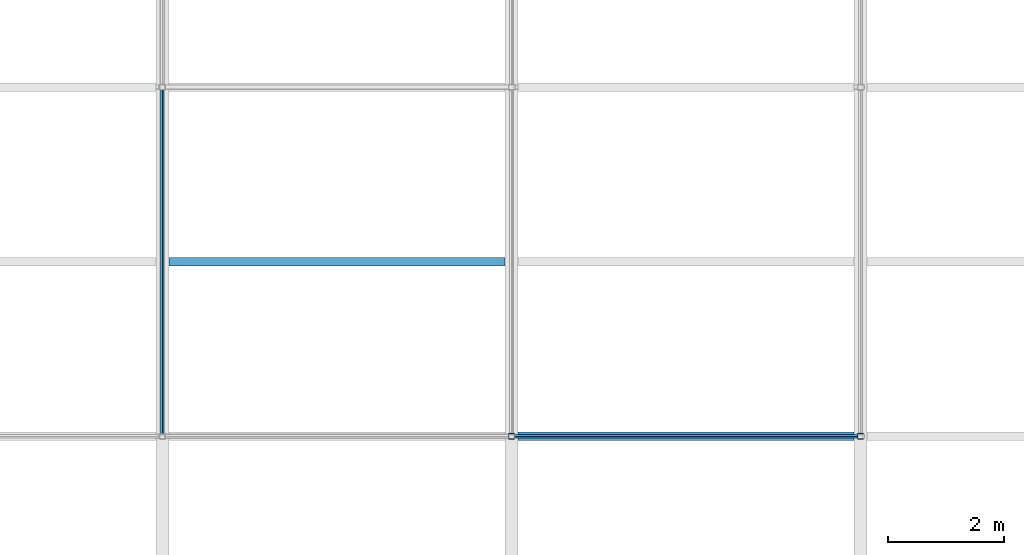
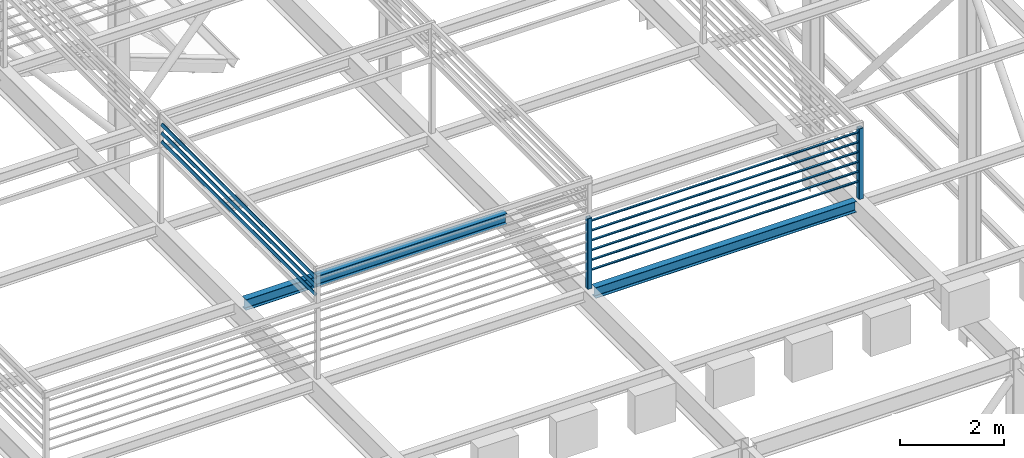
# One storey, part 8 of 57: 11 members, 2 beams.
"""IFC4 building model written with IfcOpenShell, lengths in metres."""

from ifc_helpers import new_model, si_unit, direction, frame, origin, origin_2d, place, context, subcontext, project, spatial, hollow_rectangle, i_section, extrude, material, material_profile, profile_set, type_object, element, save


model = new_model("IFC4")

# Units and contexts
model_context = context("Model", 3, precision=1e-05, world=origin(), true_north=direction((0.0, 1.0)))
body_context = subcontext(model_context, "Body", "Model", "MODEL_VIEW")
ifc_project = project(units=[si_unit("LENGTHUNIT", "METRE"), si_unit("AREAUNIT", "SQUARE_METRE"), si_unit("VOLUMEUNIT", "CUBIC_METRE"), si_unit("PLANEANGLEUNIT", "RADIAN"), si_unit("MASSUNIT", "GRAM", prefix="KILO")], contexts=[model_context])

# Site, building, storey
site_placement = place(None, origin())
site = spatial("IfcSite", under=ifc_project, at=site_placement, CompositionType="ELEMENT")
building_placement = place(site_placement, origin())
building = spatial("IfcBuilding", under=site, at=building_placement, Name="Saffron Lane Theatres", CompositionType="ELEMENT")
storey_placement = place(building_placement, frame((0.0, 0.0, 28.0)))
storey = spatial("IfcBuildingStorey", under=building, at=storey_placement, Name="Upper Roof", CompositionType="ELEMENT", Elevation=28.0)

# Members
ifc_material_1 = material(Name="Steel Grade 350", Category="steel")
ifc_material_profile_1 = material_profile(ifc_material_1, hollow_rectangle(XDim=0.10009765625, YDim=0.10009765625, WallThickness=0.006103515625, InnerFilletRadius=0.0029296875, OuterFilletRadius=0.009033203125, at=origin_2d()))
ifc_profile_set_1 = profile_set([ifc_material_profile_1], Name="Steel Grade 350")
member_type_1 = type_object("IfcMemberType", Name="ST-LANTERN POST 100x100x6 SHS", PredefinedType="POST", material=ifc_profile_set_1)
for number, where, z_axis, x_axis, name in (
    (1, (36.0, 36.25, 8.85009765625), (0.0, 0.0, 1.0), (1.0, 0.0, 0.0), "LP7"),
    (2, (42.0, 36.25, 8.85009765625), (0.0, 0.0, 1.0), (1.0, 0.0, 0.0), "LP10"),
):
    element("IfcMember", number, at=place(storey_placement, frame(where, z_axis=z_axis, x_axis=x_axis)), inside=storey, type_object=member_type_1, Name=name, PredefinedType="POST", context=body_context, shape_type="SweptSolid", body=[
        extrude(hollow_rectangle(XDim=0.10009765625, YDim=0.10009765625, WallThickness=0.006103515625, InnerFilletRadius=0.0029296875, OuterFilletRadius=0.009033203125, at=origin_2d()), origin(), (0.0, 0.0, 1.0), 1.64990234375),
    ])
ifc_material_2 = material(Name="Steel Grade 350", Category="steel")
ifc_material_profile_2 = material_profile(ifc_material_2, hollow_rectangle(XDim=0.034912109375, YDim=0.06494140625, WallThickness=0.0029296875, InnerFilletRadius=0.00146484375, OuterFilletRadius=0.00439453125, at=origin_2d()))
ifc_profile_set_2 = profile_set([ifc_material_profile_2], Name="Steel Grade 350")
member_type_2 = type_object("IfcMemberType", Name="ST-LOUVRE SLAT 65x35x3 RHS", PredefinedType="MEMBER", material=ifc_profile_set_2)
for number, where, z_axis, x_axis, name in (
    (3, (36.050048828125, 36.25, 9.25), (1.0, 0.0, 0.0), (0.0, 0.819152044289, 0.573576436351), "LV3"),
    (4, (36.050048828125, 36.25, 9.47998046875), (1.0, 0.0, 0.0), (0.0, 0.819152044289, 0.573576436351), "LV13"),
    (5, (36.050048828125, 36.25, 9.7099609375), (1.0, 0.0, 0.0), (0.0, 0.819152044289, 0.573576436351), "LV23"),
    (6, (36.050048828125, 36.25, 9.93994140625), (1.0, 0.0, 0.0), (0.0, 0.819152044289, 0.573576436351), "LV33"),
    (7, (36.050048828125, 36.25, 10.169921875), (1.0, 0.0, 0.0), (0.0, 0.819152044289, 0.573576436351), "LV43"),
    (8, (36.050048828125, 36.25, 10.39990234375), (1.0, 0.0, 0.0), (0.0, 0.819152044289, 0.573576436351), "LV53"),
    (9, (30.0, 36.300048828125, 10.7548828125), (0.0, 1.0, 0.0), (-0.819152044289, 0.0, 0.573576436351), "LV63"),
    (10, (30.0, 36.300048828125, 10.955078125), (0.0, 1.0, 0.0), (-0.819152044289, 0.0, 0.573576436351), "LV69"),
    (11, (30.0, 36.300048828125, 11.155029296875), (0.0, 1.0, 0.0), (-0.819152044289, 0.0, 0.573576436351), "LV75"),
):
    element("IfcMember", number, at=place(storey_placement, frame(where, z_axis=z_axis, x_axis=x_axis)), inside=storey, type_object=member_type_2, Name=name, PredefinedType="MEMBER", context=body_context, shape_type="SweptSolid", body=[
        extrude(hollow_rectangle(XDim=0.034912109375, YDim=0.06494140625, WallThickness=0.0029296875, InnerFilletRadius=0.00146484375, OuterFilletRadius=0.00439453125, at=origin_2d()), origin(), (0.0, 0.0, 1.0), 5.89990234375),
    ])

# Beams
ifc_material_3 = material(Name="Steel Grade 350", Category="steel")
ifc_material_profile_3 = material_profile(ifc_material_3, i_section(OverallWidth=0.14599609375, OverallDepth=0.251953125, WebThickness=0.006103515625, FlangeThickness=0.008544921875, FilletRadius=0.011962890625, at=origin_2d()))
ifc_profile_set_3 = profile_set([ifc_material_profile_3], Name="Steel Grade 350")
beam_type = type_object("IfcBeamType", Name="ST-ROOF JOIST 250UB31.4", PredefinedType="JOIST", material=ifc_profile_set_3)
for number, where, z_axis, x_axis, name in (
    (12, (36.114013671875, 36.25, 8.72412109375), (1.0, 0.0, 0.0), (0.0, 1.0, 0.0), "TT9"),
    (13, (30.114013671875, 39.25, 8.72412109375), (1.0, 0.0, 0.0), (0.0, 1.0, 0.0), "TT13"),
):
    element("IfcBeam", number, at=place(storey_placement, frame(where, z_axis=z_axis, x_axis=x_axis)), inside=storey, type_object=beam_type, Name=name, PredefinedType="JOIST", context=body_context, shape_type="SweptSolid", body=[
        extrude(i_section(OverallWidth=0.14599609375, OverallDepth=0.251953125, WebThickness=0.006103515625, FlangeThickness=0.008544921875, FilletRadius=0.011962890625, at=origin_2d()), origin(), (0.0, 0.0, 1.0), 5.77197265625),
    ])

save(model, "model.ifc")
